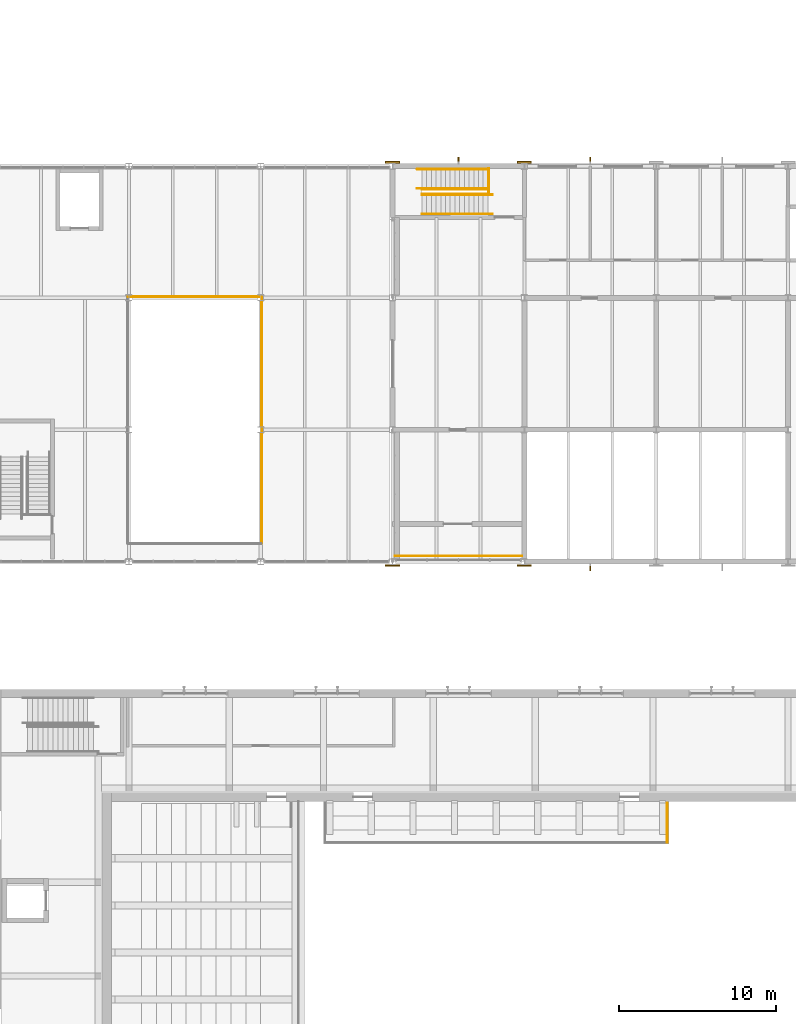
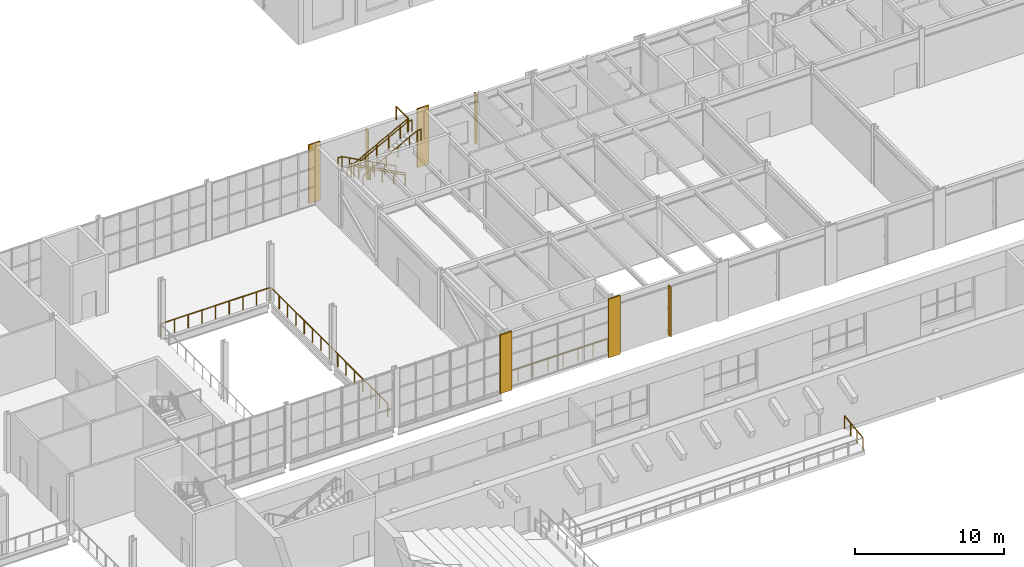
# One storey, part 122 of 127: 11 railings, 4 coverings, 3 shading devices.
"""IFC4 building model written with IfcOpenShell, lengths in metres."""

from ifc_helpers import new_model, si_unit, direction, frame, origin, origin_2d, place, context, subcontext, project, spatial, rectangle, circle, extrude, material, layer, layer_set, type_object, element, save


model = new_model("IFC4")

# Units and contexts
model_context = context("Model", 3, precision=1e-05, world=origin(), true_north=direction((0.0, 1.0)))
body_context = subcontext(model_context, "Body", "Model", "MODEL_VIEW")
ifc_project = project(units=[si_unit("LENGTHUNIT", "METRE"), si_unit("AREAUNIT", "SQUARE_METRE"), si_unit("VOLUMEUNIT", "CUBIC_METRE"), si_unit("PLANEANGLEUNIT", "RADIAN"), si_unit("MASSUNIT", "GRAM", prefix="KILO")], contexts=[model_context])

# Site, building, storey
site_placement = place(None, origin())
site = spatial("IfcSite", under=ifc_project, at=site_placement, CompositionType="ELEMENT")
building_placement = place(site_placement, origin())
building = spatial("IfcBuilding", under=site, at=building_placement, Name="Ljudholm Concert House", CompositionType="ELEMENT")
storey_placement = place(building_placement, frame((0.0, 0.0, 5.39990234375)))
storey = spatial("IfcBuildingStorey", under=building, at=storey_placement, Name="L01", CompositionType="ELEMENT", Elevation=5.39990234375)

# Shading devices
ifc_material_1 = material(Name="Aluminium extrusion with timber-grain PVDF finish", Category="aluminium")
shading_device_type = type_object("IfcShadingDeviceType", Name="FACADE FIN 300x80", PredefinedType="SHUTTER", material=ifc_material_1)
for number, where, z_axis, x_axis, name in (
    (1, (58.60009765625, 130.419921875, 0.25), (0.0, 0.0, 1.0), (0.0, 1.0, 0.0), "Facade fin"),
    (2, (67.0, 130.419921875, 0.25), (0.0, 0.0, 1.0), (0.0, 1.0, 0.0), "Facade fin"),
    (3, (67.0, 104.3798828125, 0.25), (0.0, 0.0, 1.0), (0.0, -1.0, 0.0), "Facade fin"),
):
    element("IfcShadingDevice", number, at=place(storey_placement, frame(where, z_axis=z_axis, x_axis=x_axis)), inside=storey, type_object=shading_device_type, Name=name, PredefinedType="SHUTTER", context=body_context, shape_type="SweptSolid", body=[
        extrude(rectangle(XDim=0.300048828125, YDim=0.080078125, at=origin_2d()), origin(), (0.0, 0.0, 1.0), 4.10009765625),
    ])

# Railings
ifc_material_2 = material(Name="Steel ASTM A36", Category="steel")
railing_type_1 = type_object("IfcRailingType", Name="GUARD 1100", PredefinedType="GUARDRAIL", material=ifc_material_2)
railing_1_placement = place(storey_placement, frame((60.47509765625, 128.52490234375, 0.16015625)))
element("IfcRailing", 4, at=railing_1_placement, inside=storey, type_object=railing_type_1, Name="Guard", PredefinedType="GUARDRAIL", context=body_context, shape_type="SweptSolid", body=[
    extrude(circle(Radius=0.02490234375, at=origin_2d()), frame((0.0, 0.0, 1.0751953125), z_axis=(-0.882392687573, 0.0, 0.470513703219), x_axis=(0.0, -1.0, 0.0)), (0.0, 0.0, 1.0), 1.02001953125),
    extrude(circle(Radius=0.02490234375, at=origin_2d()), frame((-0.900146484375, 0.0, 1.55517578125), z_axis=(-0.88233968818, 0.0, 0.47061308382), x_axis=(0.0, -1.0, 0.0)), (0.0, 0.0, 1.0), 1.02001953125),
    extrude(circle(Radius=0.02490234375, at=origin_2d()), frame((-1.800048828125, 0.0, 2.03515625), z_axis=(-0.882392687573, 0.0, 0.470513703219), x_axis=(0.0, -1.0, 0.0)), (0.0, 0.0, 1.0), 1.02001953125),
    extrude(circle(Radius=0.02490234375, at=origin_2d()), frame((-2.7001953125, 0.0, 2.51513671875), z_axis=(-0.88233968818, 0.0, 0.47061308382), x_axis=(0.0, -1.0, 0.0)), (0.0, 0.0, 1.0), 1.02001953125),
    extrude(circle(Radius=0.02490234375, at=origin_2d()), frame((-3.60009765625, 0.0, 2.9951171875), z_axis=(-0.882343004153, 0.0, 0.470606866739), x_axis=(0.0, -1.0, 0.0)), (0.0, 0.0, 1.0), 0.68017578125),
    extrude(circle(Radius=0.02099609375, at=origin_2d()), origin(), (0.0, 0.0, 1.0), 1.050048828125),
    extrude(circle(Radius=0.02099609375, at=origin_2d()), frame((-0.900146484375, 0.0, 0.47998046875)), (0.0, 0.0, 1.0), 1.050048828125),
    extrude(circle(Radius=0.02099609375, at=origin_2d()), frame((-1.800048828125, 0.0, 0.9599609375)), (0.0, 0.0, 1.0), 1.050048828125),
    extrude(circle(Radius=0.02099609375, at=origin_2d()), frame((-2.7001953125, 0.0, 1.43994140625)), (0.0, 0.0, 1.0), 1.050048828125),
    extrude(circle(Radius=0.02099609375, at=origin_2d()), frame((-3.60009765625, 0.0, 1.919921875)), (0.0, 0.0, 1.0), 1.050048828125),
    extrude(circle(Radius=0.02099609375, at=origin_2d()), frame((-4.2001953125, 0.0, 2.239990234375)), (0.0, 0.0, 1.0), 1.050048828125),
])
railing_2_placement = place(storey_placement, frame((56.27490234375, 128.22509765625, 2.56005859375)))
element("IfcRailing", 5, at=railing_2_placement, inside=storey, type_object=railing_type_1, Name="Guard", PredefinedType="GUARDRAIL", context=body_context, shape_type="SweptSolid", body=[
    extrude(circle(Radius=0.02490234375, at=origin_2d()), frame((0.0, 0.0, 1.0751953125), z_axis=(0.882392687573, 0.0, 0.470513703219), x_axis=(0.0, 1.0, 0.0)), (0.0, 0.0, 1.0), 1.02001953125),
    extrude(circle(Radius=0.02490234375, at=origin_2d()), frame((0.900146484375, 0.0, 1.55517578125), z_axis=(0.88233968818, 0.0, 0.47061308382), x_axis=(0.0, 1.0, 0.0)), (0.0, 0.0, 1.0), 1.02001953125),
    extrude(circle(Radius=0.02490234375, at=origin_2d()), frame((1.800048828125, 0.0, 2.03515625), z_axis=(0.882392687573, 0.0, 0.470513703219), x_axis=(0.0, 1.0, 0.0)), (0.0, 0.0, 1.0), 1.02001953125),
    extrude(circle(Radius=0.02490234375, at=origin_2d()), frame((2.7001953125, 0.0, 2.51513671875), z_axis=(0.88233968818, 0.0, 0.47061308382), x_axis=(0.0, 1.0, 0.0)), (0.0, 0.0, 1.0), 1.02001953125),
    extrude(circle(Radius=0.02490234375, at=origin_2d()), frame((3.60009765625, 0.0, 2.9951171875), z_axis=(0.882343004153, 0.0, 0.470606866739), x_axis=(0.0, 1.0, 0.0)), (0.0, 0.0, 1.0), 0.68017578125),
    extrude(circle(Radius=0.02099609375, at=origin_2d()), origin(), (0.0, 0.0, 1.0), 1.050048828125),
    extrude(circle(Radius=0.02099609375, at=origin_2d()), frame((0.900146484375, 0.0, 0.47998046875)), (0.0, 0.0, 1.0), 1.050048828125),
    extrude(circle(Radius=0.02099609375, at=origin_2d()), frame((1.800048828125, 0.0, 0.9599609375)), (0.0, 0.0, 1.0), 1.050048828125),
    extrude(circle(Radius=0.02099609375, at=origin_2d()), frame((2.7001953125, 0.0, 1.43994140625)), (0.0, 0.0, 1.0), 1.050048828125),
    extrude(circle(Radius=0.02099609375, at=origin_2d()), frame((3.60009765625, 0.0, 1.919921875)), (0.0, 0.0, 1.0), 1.050048828125),
    extrude(circle(Radius=0.02099609375, at=origin_2d()), frame((4.2001953125, 0.0, 2.239990234375)), (0.0, 0.0, 1.0), 1.050048828125),
])
railing_3_placement = place(storey_placement, frame((60.52490234375, 129.85009765625, 4.800048828125)))
element("IfcRailing", 6, at=railing_3_placement, inside=storey, type_object=railing_type_1, Name="Guard", PredefinedType="GUARDRAIL", context=body_context, shape_type="SweptSolid", body=[
    extrude(circle(Radius=0.02490234375, at=origin_2d()), frame((0.0, 0.0, 1.0751953125), z_axis=(0.0, -1.0, 0.0), x_axis=(1.0, 0.0, 0.0)), (0.0, 0.0, 1.0), 1.60009765625),
    extrude(circle(Radius=0.02099609375, at=origin_2d()), origin(), (0.0, 0.0, 1.0), 1.050048828125),
    extrude(circle(Radius=0.02099609375, at=origin_2d()), frame((0.0, -1.60009765625, 0.0)), (0.0, 0.0, 1.0), 1.050048828125),
])
railing_4_placement = place(storey_placement, frame((71.89990234375, 89.39990234375, 0.0)))
element("IfcRailing", 7, at=railing_4_placement, inside=storey, type_object=railing_type_1, Name="Gallery end guard", PredefinedType="GUARDRAIL", context=body_context, shape_type="SweptSolid", body=[
    extrude(circle(Radius=0.02490234375, at=origin_2d()), frame((0.0, 0.0, 1.0751953125), z_axis=(0.0, -0.993392781118, -0.114764029303), x_axis=(1.0, 0.0, 0.0)), (0.0, 0.0, 1.0), 2.5166015625),
    extrude(circle(Radius=0.02099609375, at=origin_2d()), origin(), (0.0, 0.0, 1.0), 1.050048828125),
    extrude(circle(Radius=0.02099609375, at=origin_2d()), frame((0.0, -0.833251953125, -0.09619140625)), (0.0, 0.0, 1.0), 1.050048828125),
    extrude(circle(Radius=0.02099609375, at=origin_2d()), frame((0.0, -1.666748046875, -0.192626953125)), (0.0, 0.0, 1.0), 1.050048828125),
    extrude(circle(Radius=0.02099609375, at=origin_2d()), frame((0.0, -2.5, -0.288818359375)), (0.0, 0.0, 1.0), 1.050048828125),
])
railing_5_placement = place(storey_placement, frame((46.070068359375, 105.9599609375, 0.0)))
element("IfcRailing", 8, at=railing_5_placement, inside=storey, type_object=railing_type_1, Name="Atrium guard", PredefinedType="GUARDRAIL", context=body_context, shape_type="SweptSolid", body=[
    extrude(circle(Radius=0.02490234375, at=origin_2d()), frame((0.0, 0.0, 1.0751953125), z_axis=(0.0, 1.0, 0.0), x_axis=(-1.0, 0.0, 0.0)), (0.0, 0.0, 1.0), 15.679931640625),
    extrude(circle(Radius=0.02099609375, at=origin_2d()), origin(), (0.0, 0.0, 1.0), 1.050048828125),
    extrude(circle(Radius=0.02099609375, at=origin_2d()), frame((0.0, 1.1201171875, 0.0)), (0.0, 0.0, 1.0), 1.050048828125),
    extrude(circle(Radius=0.02099609375, at=origin_2d()), frame((0.0, 2.239990234375, 0.0)), (0.0, 0.0, 1.0), 1.050048828125),
    extrude(circle(Radius=0.02099609375, at=origin_2d()), frame((0.0, 3.35986328125, 0.0)), (0.0, 0.0, 1.0), 1.050048828125),
    extrude(circle(Radius=0.02099609375, at=origin_2d()), frame((0.0, 4.47998046875, 0.0)), (0.0, 0.0, 1.0), 1.050048828125),
    extrude(circle(Radius=0.02099609375, at=origin_2d()), frame((0.0, 5.60009765625, 0.0)), (0.0, 0.0, 1.0), 1.050048828125),
    extrude(circle(Radius=0.02099609375, at=origin_2d()), frame((0.0, 6.719970703125, 0.0)), (0.0, 0.0, 1.0), 1.050048828125),
    extrude(circle(Radius=0.02099609375, at=origin_2d()), frame((0.0, 7.83984375, 0.0)), (0.0, 0.0, 1.0), 1.050048828125),
    extrude(circle(Radius=0.02099609375, at=origin_2d()), frame((0.0, 8.9599609375, 0.0)), (0.0, 0.0, 1.0), 1.050048828125),
    extrude(circle(Radius=0.02099609375, at=origin_2d()), frame((0.0, 10.080078125, 0.0)), (0.0, 0.0, 1.0), 1.050048828125),
    extrude(circle(Radius=0.02099609375, at=origin_2d()), frame((0.0, 11.199951171875, 0.0)), (0.0, 0.0, 1.0), 1.050048828125),
    extrude(circle(Radius=0.02099609375, at=origin_2d()), frame((0.0, 12.31982421875, 0.0)), (0.0, 0.0, 1.0), 1.050048828125),
    extrude(circle(Radius=0.02099609375, at=origin_2d()), frame((0.0, 13.43994140625, 0.0)), (0.0, 0.0, 1.0), 1.050048828125),
    extrude(circle(Radius=0.02099609375, at=origin_2d()), frame((0.0, 14.56005859375, 0.0)), (0.0, 0.0, 1.0), 1.050048828125),
    extrude(circle(Radius=0.02099609375, at=origin_2d()), frame((0.0, 15.679931640625, 0.0)), (0.0, 0.0, 1.0), 1.050048828125),
])
railing_6_placement = place(storey_placement, frame((46.0400390625, 121.669921875, 0.0)))
element("IfcRailing", 9, at=railing_6_placement, inside=storey, type_object=railing_type_1, Name="Atrium guard", PredefinedType="GUARDRAIL", context=body_context, shape_type="SweptSolid", body=[
    extrude(circle(Radius=0.02490234375, at=origin_2d()), frame((0.0, 0.0, 1.0751953125), z_axis=(-1.0, 0.0, 0.0), x_axis=(0.0, -1.0, 0.0)), (0.0, 0.0, 1.0), 8.47998046875),
    extrude(circle(Radius=0.02099609375, at=origin_2d()), origin(), (0.0, 0.0, 1.0), 1.050048828125),
    extrude(circle(Radius=0.02099609375, at=origin_2d()), frame((-1.06005859375, 0.0, 0.0)), (0.0, 0.0, 1.0), 1.050048828125),
    extrude(circle(Radius=0.02099609375, at=origin_2d()), frame((-2.1201171875, 0.0, 0.0)), (0.0, 0.0, 1.0), 1.050048828125),
    extrude(circle(Radius=0.02099609375, at=origin_2d()), frame((-3.179931640625, 0.0, 0.0)), (0.0, 0.0, 1.0), 1.050048828125),
    extrude(circle(Radius=0.02099609375, at=origin_2d()), frame((-4.239990234375, 0.0, 0.0)), (0.0, 0.0, 1.0), 1.050048828125),
    extrude(circle(Radius=0.02099609375, at=origin_2d()), frame((-5.300048828125, 0.0, 0.0)), (0.0, 0.0, 1.0), 1.050048828125),
    extrude(circle(Radius=0.02099609375, at=origin_2d()), frame((-6.35986328125, 0.0, 0.0)), (0.0, 0.0, 1.0), 1.050048828125),
    extrude(circle(Radius=0.02099609375, at=origin_2d()), frame((-7.419921875, 0.0, 0.0)), (0.0, 0.0, 1.0), 1.050048828125),
    extrude(circle(Radius=0.02099609375, at=origin_2d()), frame((-8.47998046875, 0.0, 0.0)), (0.0, 0.0, 1.0), 1.050048828125),
])
ifc_material_3 = material(Name="Steel ASTM A36", Category="steel")
railing_type_2 = type_object("IfcRailingType", Name="GUARD 1100 EXTERNAL", PredefinedType="GUARDRAIL", material=ifc_material_3)
railing_7_placement = place(storey_placement, frame((54.550048828125, 105.14990234375, 0.0)))
element("IfcRailing", 10, at=railing_7_placement, inside=storey, type_object=railing_type_2, Name="Loggia guard", PredefinedType="GUARDRAIL", context=body_context, shape_type="SweptSolid", body=[
    extrude(circle(Radius=0.02490234375, at=origin_2d()), frame((0.0, 0.0, 1.0751953125), z_axis=(1.0, 0.0, 0.0), x_axis=(0.0, 1.0, 0.0)), (0.0, 0.0, 1.0), 8.099853515625),
    extrude(circle(Radius=0.02099609375, at=origin_2d()), origin(), (0.0, 0.0, 1.0), 1.050048828125),
    extrude(circle(Radius=0.02099609375, at=origin_2d()), frame((1.1572265625, 0.0, 0.0)), (0.0, 0.0, 1.0), 1.050048828125),
    extrude(circle(Radius=0.02099609375, at=origin_2d()), frame((2.314208984375, 0.0, 0.0)), (0.0, 0.0, 1.0), 1.050048828125),
    extrude(circle(Radius=0.02099609375, at=origin_2d()), frame((3.471435546875, 0.0, 0.0)), (0.0, 0.0, 1.0), 1.050048828125),
    extrude(circle(Radius=0.02099609375, at=origin_2d()), frame((4.62841796875, 0.0, 0.0)), (0.0, 0.0, 1.0), 1.050048828125),
    extrude(circle(Radius=0.02099609375, at=origin_2d()), frame((5.78564453125, 0.0, 0.0)), (0.0, 0.0, 1.0), 1.050048828125),
    extrude(circle(Radius=0.02099609375, at=origin_2d()), frame((6.942626953125, 0.0, 0.0)), (0.0, 0.0, 1.0), 1.050048828125),
    extrude(circle(Radius=0.02099609375, at=origin_2d()), frame((8.099853515625, 0.0, 0.0)), (0.0, 0.0, 1.0), 1.050048828125),
])
ifc_material_4 = material(Name="Steel ASTM A36", Category="steel")
railing_type_3 = type_object("IfcRailingType", Name="HANDRAIL 900", PredefinedType="HANDRAIL", material=ifc_material_4)
railing_8_placement = place(storey_placement, frame((60.47509765625, 128.574951171875, 0.16015625)))
element("IfcRailing", 11, at=railing_8_placement, inside=storey, type_object=railing_type_3, Name="Handrail", PredefinedType="HANDRAIL", context=body_context, shape_type="SweptSolid", body=[
    extrude(circle(Radius=0.0224609375, at=origin_2d()), frame((0.0, 0.0, 0.87744140625), z_axis=(-0.882392687573, 0.0, 0.470513703219), x_axis=(0.0, -1.0, 0.0)), (0.0, 0.0, 1.0), 1.02001953125),
    extrude(circle(Radius=0.0224609375, at=origin_2d()), frame((-0.900146484375, 0.0, 1.357421875), z_axis=(-0.88233968818, 0.0, 0.47061308382), x_axis=(0.0, -1.0, 0.0)), (0.0, 0.0, 1.0), 1.02001953125),
    extrude(circle(Radius=0.0224609375, at=origin_2d()), frame((-1.800048828125, 0.0, 1.83740234375), z_axis=(-0.882392687573, 0.0, 0.470513703219), x_axis=(0.0, -1.0, 0.0)), (0.0, 0.0, 1.0), 1.02001953125),
    extrude(circle(Radius=0.0224609375, at=origin_2d()), frame((-2.7001953125, 0.0, 2.3173828125), z_axis=(-0.88233968818, 0.0, 0.47061308382), x_axis=(0.0, -1.0, 0.0)), (0.0, 0.0, 1.0), 1.02001953125),
    extrude(circle(Radius=0.0224609375, at=origin_2d()), frame((-3.60009765625, 0.0, 2.79736328125), z_axis=(-0.882343004153, 0.0, 0.470606866739), x_axis=(0.0, -1.0, 0.0)), (0.0, 0.0, 1.0), 0.68017578125),
    extrude(circle(Radius=0.0224609375, at=origin_2d()), frame((-4.2001953125, 0.0, 3.117431640625), z_axis=(-1.0, 0.0, 0.0), x_axis=(0.0, -1.0, 0.0)), (0.0, 0.0, 1.0), 0.2998046875),
    extrude(circle(Radius=0.02099609375, at=origin_2d()), origin(), (0.0, 0.0, 1.0), 0.85498046875),
    extrude(circle(Radius=0.02099609375, at=origin_2d()), frame((-0.900146484375, 0.0, 0.47998046875)), (0.0, 0.0, 1.0), 0.85498046875),
    extrude(circle(Radius=0.02099609375, at=origin_2d()), frame((-1.800048828125, 0.0, 0.9599609375)), (0.0, 0.0, 1.0), 0.85498046875),
    extrude(circle(Radius=0.02099609375, at=origin_2d()), frame((-2.7001953125, 0.0, 1.43994140625)), (0.0, 0.0, 1.0), 0.85498046875),
    extrude(circle(Radius=0.02099609375, at=origin_2d()), frame((-3.60009765625, 0.0, 1.919921875)), (0.0, 0.0, 1.0), 0.85498046875),
    extrude(circle(Radius=0.02099609375, at=origin_2d()), frame((-4.2001953125, 0.0, 2.239990234375)), (0.0, 0.0, 1.0), 0.85498046875),
    extrude(circle(Radius=0.02099609375, at=origin_2d()), frame((-4.5, 0.0, 2.239990234375)), (0.0, 0.0, 1.0), 0.85498046875),
])
railing_9_placement = place(storey_placement, frame((60.47509765625, 129.800048828125, 0.16015625)))
element("IfcRailing", 12, at=railing_9_placement, inside=storey, type_object=railing_type_3, Name="Handrail", PredefinedType="HANDRAIL", context=body_context, shape_type="SweptSolid", body=[
    extrude(circle(Radius=0.0224609375, at=origin_2d()), frame((0.0, 0.0, 0.87744140625), z_axis=(-0.882392687573, 0.0, 0.470513703219), x_axis=(0.0, -1.0, 0.0)), (0.0, 0.0, 1.0), 1.02001953125),
    extrude(circle(Radius=0.0224609375, at=origin_2d()), frame((-0.900146484375, 0.0, 1.357421875), z_axis=(-0.88233968818, 0.0, 0.47061308382), x_axis=(0.0, -1.0, 0.0)), (0.0, 0.0, 1.0), 1.02001953125),
    extrude(circle(Radius=0.0224609375, at=origin_2d()), frame((-1.800048828125, 0.0, 1.83740234375), z_axis=(-0.882392687573, 0.0, 0.470513703219), x_axis=(0.0, -1.0, 0.0)), (0.0, 0.0, 1.0), 1.02001953125),
    extrude(circle(Radius=0.0224609375, at=origin_2d()), frame((-2.7001953125, 0.0, 2.3173828125), z_axis=(-0.88233968818, 0.0, 0.47061308382), x_axis=(0.0, -1.0, 0.0)), (0.0, 0.0, 1.0), 1.02001953125),
    extrude(circle(Radius=0.0224609375, at=origin_2d()), frame((-3.60009765625, 0.0, 2.79736328125), z_axis=(-0.882343004153, 0.0, 0.470606866739), x_axis=(0.0, -1.0, 0.0)), (0.0, 0.0, 1.0), 0.68017578125),
    extrude(circle(Radius=0.0224609375, at=origin_2d()), frame((-4.2001953125, 0.0, 3.117431640625), z_axis=(-1.0, 0.0, 0.0), x_axis=(0.0, -1.0, 0.0)), (0.0, 0.0, 1.0), 0.2998046875),
    extrude(circle(Radius=0.02099609375, at=origin_2d()), origin(), (0.0, 0.0, 1.0), 0.85498046875),
    extrude(circle(Radius=0.02099609375, at=origin_2d()), frame((-0.900146484375, 0.0, 0.47998046875)), (0.0, 0.0, 1.0), 0.85498046875),
    extrude(circle(Radius=0.02099609375, at=origin_2d()), frame((-1.800048828125, 0.0, 0.9599609375)), (0.0, 0.0, 1.0), 0.85498046875),
    extrude(circle(Radius=0.02099609375, at=origin_2d()), frame((-2.7001953125, 0.0, 1.43994140625)), (0.0, 0.0, 1.0), 0.85498046875),
    extrude(circle(Radius=0.02099609375, at=origin_2d()), frame((-3.60009765625, 0.0, 1.919921875)), (0.0, 0.0, 1.0), 0.85498046875),
    extrude(circle(Radius=0.02099609375, at=origin_2d()), frame((-4.2001953125, 0.0, 2.239990234375)), (0.0, 0.0, 1.0), 0.85498046875),
    extrude(circle(Radius=0.02099609375, at=origin_2d()), frame((-4.5, 0.0, 2.239990234375)), (0.0, 0.0, 1.0), 0.85498046875),
])
railing_10_placement = place(storey_placement, frame((56.27490234375, 128.175048828125, 2.56005859375)))
element("IfcRailing", 13, at=railing_10_placement, inside=storey, type_object=railing_type_3, Name="Handrail", PredefinedType="HANDRAIL", context=body_context, shape_type="SweptSolid", body=[
    extrude(circle(Radius=0.0224609375, at=origin_2d()), frame((0.0, 0.0, 0.87744140625), z_axis=(0.882392687573, 0.0, 0.470513703219), x_axis=(0.0, 1.0, 0.0)), (0.0, 0.0, 1.0), 1.02001953125),
    extrude(circle(Radius=0.0224609375, at=origin_2d()), frame((0.900146484375, 0.0, 1.357421875), z_axis=(0.88233968818, 0.0, 0.47061308382), x_axis=(0.0, 1.0, 0.0)), (0.0, 0.0, 1.0), 1.02001953125),
    extrude(circle(Radius=0.0224609375, at=origin_2d()), frame((1.800048828125, 0.0, 1.83740234375), z_axis=(0.882392687573, 0.0, 0.470513703219), x_axis=(0.0, 1.0, 0.0)), (0.0, 0.0, 1.0), 1.02001953125),
    extrude(circle(Radius=0.0224609375, at=origin_2d()), frame((2.7001953125, 0.0, 2.3173828125), z_axis=(0.88233968818, 0.0, 0.47061308382), x_axis=(0.0, 1.0, 0.0)), (0.0, 0.0, 1.0), 1.02001953125),
    extrude(circle(Radius=0.0224609375, at=origin_2d()), frame((3.60009765625, 0.0, 2.79736328125), z_axis=(0.882343004153, 0.0, 0.470606866739), x_axis=(0.0, 1.0, 0.0)), (0.0, 0.0, 1.0), 0.68017578125),
    extrude(circle(Radius=0.0224609375, at=origin_2d()), frame((4.2001953125, 0.0, 3.117431640625), z_axis=(1.0, 0.0, 0.0), x_axis=(0.0, 1.0, 0.0)), (0.0, 0.0, 1.0), 0.2998046875),
    extrude(circle(Radius=0.02099609375, at=origin_2d()), origin(), (0.0, 0.0, 1.0), 0.85498046875),
    extrude(circle(Radius=0.02099609375, at=origin_2d()), frame((0.900146484375, 0.0, 0.47998046875)), (0.0, 0.0, 1.0), 0.85498046875),
    extrude(circle(Radius=0.02099609375, at=origin_2d()), frame((1.800048828125, 0.0, 0.9599609375)), (0.0, 0.0, 1.0), 0.85498046875),
    extrude(circle(Radius=0.02099609375, at=origin_2d()), frame((2.7001953125, 0.0, 1.43994140625)), (0.0, 0.0, 1.0), 0.85498046875),
    extrude(circle(Radius=0.02099609375, at=origin_2d()), frame((3.60009765625, 0.0, 1.919921875)), (0.0, 0.0, 1.0), 0.85498046875),
    extrude(circle(Radius=0.02099609375, at=origin_2d()), frame((4.2001953125, 0.0, 2.239990234375)), (0.0, 0.0, 1.0), 0.85498046875),
    extrude(circle(Radius=0.02099609375, at=origin_2d()), frame((4.5, 0.0, 2.239990234375)), (0.0, 0.0, 1.0), 0.85498046875),
])
railing_11_placement = place(storey_placement, frame((56.27490234375, 126.949951171875, 2.56005859375)))
element("IfcRailing", 14, at=railing_11_placement, inside=storey, type_object=railing_type_3, Name="Handrail", PredefinedType="HANDRAIL", context=body_context, shape_type="SweptSolid", body=[
    extrude(circle(Radius=0.0224609375, at=origin_2d()), frame((0.0, 0.0, 0.87744140625), z_axis=(0.882392687573, 0.0, 0.470513703219), x_axis=(0.0, 1.0, 0.0)), (0.0, 0.0, 1.0), 1.02001953125),
    extrude(circle(Radius=0.0224609375, at=origin_2d()), frame((0.900146484375, 0.0, 1.357421875), z_axis=(0.88233968818, 0.0, 0.47061308382), x_axis=(0.0, 1.0, 0.0)), (0.0, 0.0, 1.0), 1.02001953125),
    extrude(circle(Radius=0.0224609375, at=origin_2d()), frame((1.800048828125, 0.0, 1.83740234375), z_axis=(0.882392687573, 0.0, 0.470513703219), x_axis=(0.0, 1.0, 0.0)), (0.0, 0.0, 1.0), 1.02001953125),
    extrude(circle(Radius=0.0224609375, at=origin_2d()), frame((2.7001953125, 0.0, 2.3173828125), z_axis=(0.88233968818, 0.0, 0.47061308382), x_axis=(0.0, 1.0, 0.0)), (0.0, 0.0, 1.0), 1.02001953125),
    extrude(circle(Radius=0.0224609375, at=origin_2d()), frame((3.60009765625, 0.0, 2.79736328125), z_axis=(0.882343004153, 0.0, 0.470606866739), x_axis=(0.0, 1.0, 0.0)), (0.0, 0.0, 1.0), 0.68017578125),
    extrude(circle(Radius=0.0224609375, at=origin_2d()), frame((4.2001953125, 0.0, 3.117431640625), z_axis=(1.0, 0.0, 0.0), x_axis=(0.0, 1.0, 0.0)), (0.0, 0.0, 1.0), 0.2998046875),
    extrude(circle(Radius=0.02099609375, at=origin_2d()), origin(), (0.0, 0.0, 1.0), 0.85498046875),
    extrude(circle(Radius=0.02099609375, at=origin_2d()), frame((0.900146484375, 0.0, 0.47998046875)), (0.0, 0.0, 1.0), 0.85498046875),
    extrude(circle(Radius=0.02099609375, at=origin_2d()), frame((1.800048828125, 0.0, 0.9599609375)), (0.0, 0.0, 1.0), 0.85498046875),
    extrude(circle(Radius=0.02099609375, at=origin_2d()), frame((2.7001953125, 0.0, 1.43994140625)), (0.0, 0.0, 1.0), 0.85498046875),
    extrude(circle(Radius=0.02099609375, at=origin_2d()), frame((3.60009765625, 0.0, 1.919921875)), (0.0, 0.0, 1.0), 0.85498046875),
    extrude(circle(Radius=0.02099609375, at=origin_2d()), frame((4.2001953125, 0.0, 2.239990234375)), (0.0, 0.0, 1.0), 0.85498046875),
    extrude(circle(Radius=0.02099609375, at=origin_2d()), frame((4.5, 0.0, 2.239990234375)), (0.0, 0.0, 1.0), 0.85498046875),
])

# Coverings
ifc_material_5 = material(Name="Precast concrete, limestone aggregate", Category="masonry")
ifc_layer = layer(ifc_material_5, 0.110107421875)
ifc_layer_set = layer_set([ifc_layer], Name="Precast concrete, limestone aggregate")
covering_type = type_object("IfcCoveringType", Name="PRECAST CONCRETE, LIMESTONE AGGREGATE CLADDING 110", PredefinedType="CLADDING", material=ifc_layer_set)
for number, where, z_axis, x_axis, name in (
    (15, (54.39990234375, 130.2451171875, 0.0), (0.0, 0.0, 1.0), (0.0, 1.0, 0.0), "Pilaster cladding"),
    (16, (62.800048828125, 130.2451171875, 0.0), (0.0, 0.0, 1.0), (0.0, 1.0, 0.0), "Pilaster cladding"),
    (17, (54.39990234375, 104.554931640625, 0.0), (0.0, 0.0, 1.0), (0.0, -1.0, 0.0), "Pilaster cladding"),
    (18, (62.800048828125, 104.554931640625, 0.0), (0.0, 0.0, 1.0), (0.0, -1.0, 0.0), "Pilaster cladding"),
):
    element("IfcCovering", number, at=place(storey_placement, frame(where, z_axis=z_axis, x_axis=x_axis)), inside=storey, type_object=covering_type, Name=name, PredefinedType="CLADDING", context=body_context, shape_type="SweptSolid", body=[
        extrude(rectangle(XDim=0.110107421875, YDim=0.89990234375, at=origin_2d()), origin(), (0.0, 0.0, 1.0), 4.800048828125),
    ])

save(model, "model.ifc")
